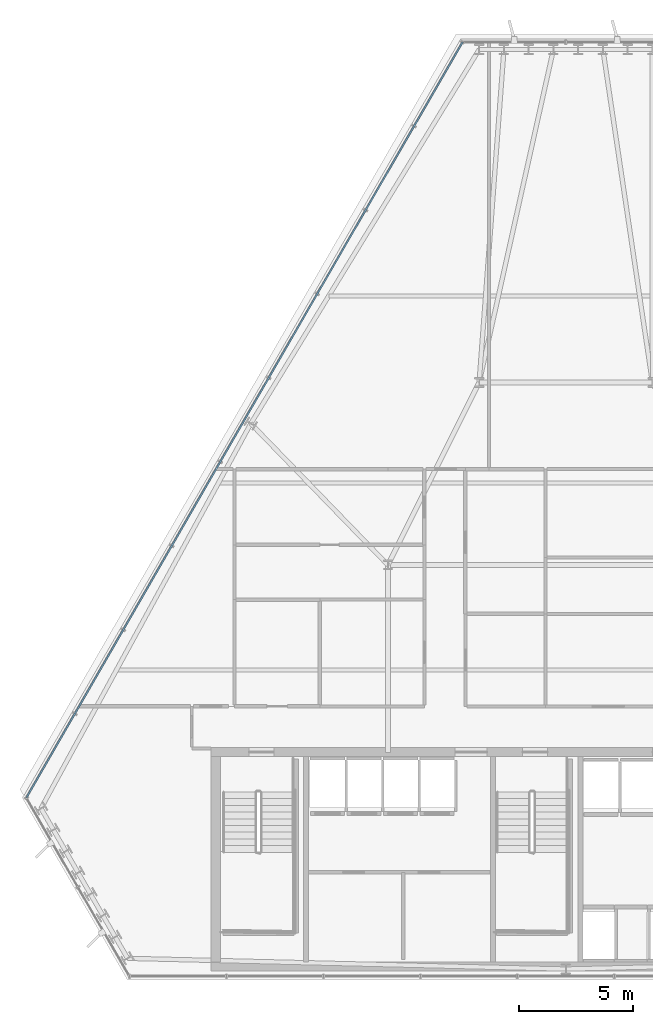
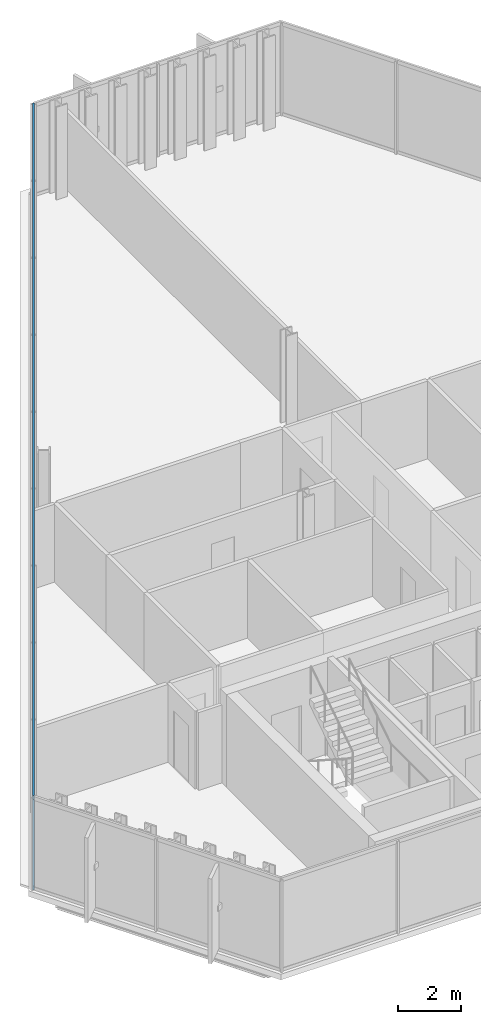
# One storey, part 11 of 34: 2 members, 1 element without a shape of its own.
"""IFC4 building model written with IfcOpenShell, lengths in metres."""

from ifc_helpers import new_model, si_unit, direction, frame, origin, origin_2d, place, context, subcontext, project, spatial, hollow_rectangle, extrude, material, layer, layer_set, material_profile, profile_set, type_object, element, aggregate, save


model = new_model("IFC4")

# Units and contexts
model_context = context("Model", 3, precision=1e-05, world=origin(), true_north=direction((0.0, 1.0)))
body_context = subcontext(model_context, "Body", "Model", "MODEL_VIEW")
ifc_project = project(units=[si_unit("LENGTHUNIT", "METRE"), si_unit("AREAUNIT", "SQUARE_METRE"), si_unit("VOLUMEUNIT", "CUBIC_METRE"), si_unit("PLANEANGLEUNIT", "RADIAN"), si_unit("MASSUNIT", "GRAM", prefix="KILO")], contexts=[model_context])

# Site, building, storey
site_placement = place(None, origin())
site = spatial("IfcSite", under=ifc_project, at=site_placement, CompositionType="ELEMENT")
building_placement = place(site_placement, origin())
building = spatial("IfcBuilding", under=site, at=building_placement, Name="Ndaravel Arena Tower", CompositionType="ELEMENT")
storey_placement = place(building_placement, frame((0.0, 0.0, 191.60009765625)))
storey = spatial("IfcBuildingStorey", under=building, at=storey_placement, Name="L46", CompositionType="ELEMENT", Elevation=191.60009765625)

# Curtain wall, members
ifc_material_1 = material(Name="Aluminium", Category="aluminium")
ifc_layer = layer(ifc_material_1, 0.179931640625)
ifc_layer_set = layer_set([ifc_layer], Name="Aluminium")
curtain_wall_type = type_object("IfcCurtainWallType", Name="CW-SYS-03", PredefinedType="NOTDEFINED", material=ifc_layer_set)
curtain_wall_placement = place(storey_placement, origin())
curtain_wall = element("IfcCurtainWall", 1, at=curtain_wall_placement, inside=storey, type_object=curtain_wall_type, Name="L46 Faceted Crystal Curtain Wall CW-L46-E05", PredefinedType="NOTDEFINED")
ifc_material_2 = material(Name="Aluminium", Category="aluminium")
ifc_material_profile = material_profile(ifc_material_2, hollow_rectangle(XDim=0.074951171875, YDim=0.14990234375, WallThickness=0.00390625, at=origin_2d()), Name="CW TRANSOM 75x150x4")
ifc_profile_set = profile_set([ifc_material_profile], Name="Aluminium")
member_type = type_object("IfcMemberType", Name="MEM-CW-TRN150", PredefinedType="USERDEFINED", material=ifc_profile_set)
member_1_placement = place(storey_placement, frame((37.47705078125, 46.1259765625, 0.039794921875), z_axis=(-0.499999759107, -0.866025542864, 0.0), x_axis=(0.866025542864, -0.499999759107, 0.0)))
member_1 = element("IfcMember", 2, at=member_1_placement, type_object=member_type, Name="CW-L46-E05 Transom 01", ObjectType="TRANSOM", PredefinedType="USERDEFINED", context=body_context, shape_type="SweptSolid", body=[
    extrude(hollow_rectangle(XDim=0.074951171875, YDim=0.14990234375, WallThickness=0.00390625, at=origin_2d()), origin(), (0.0, 0.0, 1.0), 38.25732421875),
])
member_2_placement = place(storey_placement, frame((37.47705078125, 46.1259765625, 3.539794921875), z_axis=(-0.499999759107, -0.866025542864, 0.0), x_axis=(0.866025542864, -0.499999759107, 0.0)))
member_2 = element("IfcMember", 3, at=member_2_placement, type_object=member_type, Name="CW-L46-E05 Transom 02", ObjectType="TRANSOM", PredefinedType="USERDEFINED", context=body_context, shape_type="SweptSolid", body=[
    extrude(hollow_rectangle(XDim=0.074951171875, YDim=0.14990234375, WallThickness=0.00390625, at=origin_2d()), origin(), (0.0, 0.0, 1.0), 38.25732421875),
])
aggregate(curtain_wall, [member_1, member_2])

save(model, "model.ifc")
